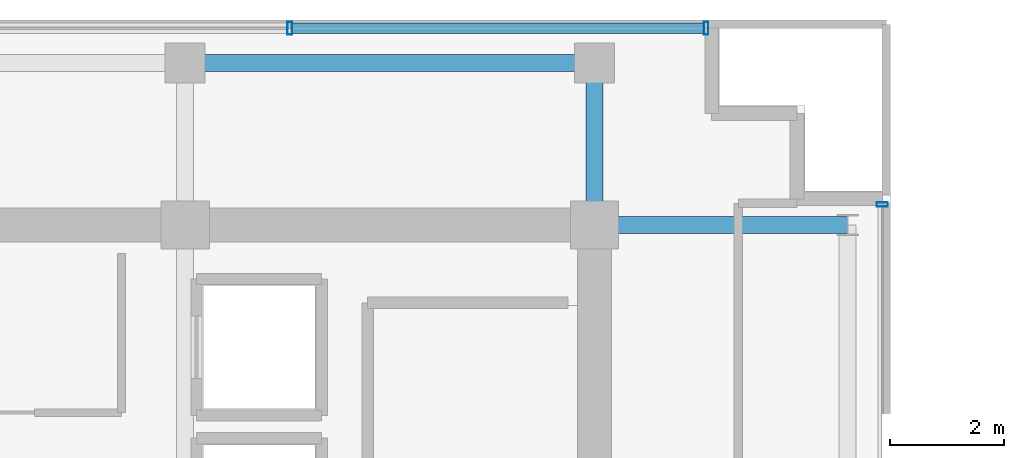
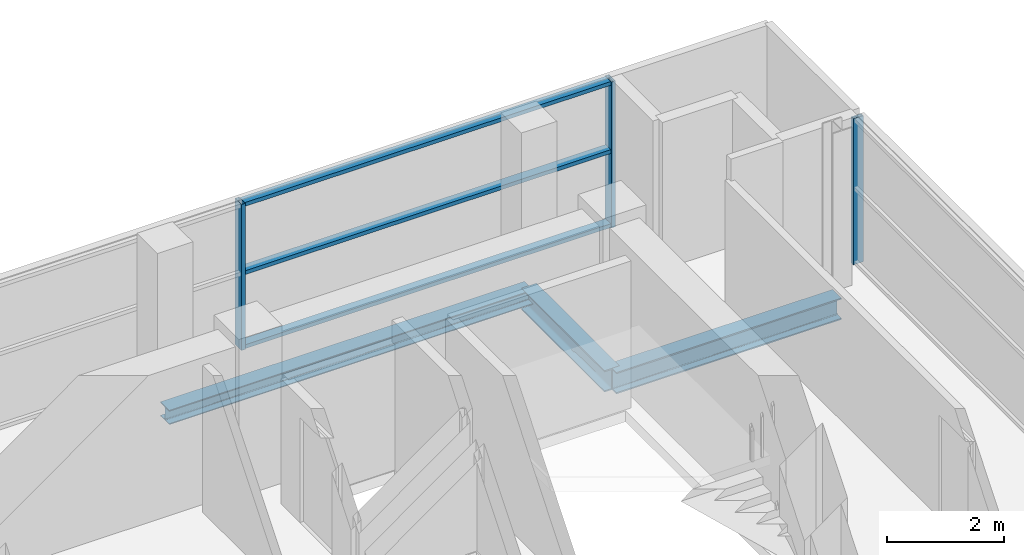
# One storey, part 14 of 22: 6 members, 3 beams, 2 elements without a shape of their own.
"""IFC4 building model written with IfcOpenShell, lengths in metres."""

from ifc_helpers import new_model, si_unit, direction, frame, origin, origin_2d, place, context, subcontext, project, spatial, hollow_rectangle, i_section, extrude, source, transform, mapped, material, layer, layer_set, material_profile, profile_set, type_object, element, aggregate, save


model = new_model("IFC4")

# Units and contexts
model_context = context("Model", 3, precision=1e-05, world=origin(), true_north=direction((0.0, 1.0)))
body_context = subcontext(model_context, "Body", "Model", "MODEL_VIEW")
ifc_project = project(units=[si_unit("LENGTHUNIT", "METRE"), si_unit("AREAUNIT", "SQUARE_METRE"), si_unit("VOLUMEUNIT", "CUBIC_METRE"), si_unit("PLANEANGLEUNIT", "RADIAN"), si_unit("MASSUNIT", "GRAM", prefix="KILO")], contexts=[model_context])

# Site, building, storey
site_placement = place(None, origin())
site = spatial("IfcSite", under=ifc_project, at=site_placement, CompositionType="ELEMENT")
building_placement = place(site_placement, origin())
building = spatial("IfcBuilding", under=site, at=building_placement, Name="Zarnakvel Exchange Tower", CompositionType="ELEMENT")
storey_placement = place(building_placement, frame((0.0, 0.0, 225.39990234375)))
storey = spatial("IfcBuildingStorey", under=building, at=storey_placement, Name="L63", CompositionType="ELEMENT", Elevation=225.39990234375)

# Beams
ifc_material_1 = material(Name="Steel S355", Category="steel")
ifc_material_profile_1 = material_profile(ifc_material_1, i_section(OverallWidth=0.300048828125, OverallDepth=0.449951171875, WebThickness=0.013916015625, FlangeThickness=0.02587890625, FilletRadius=0.027099609375, at=origin_2d()))
ifc_profile_set_1 = profile_set([ifc_material_profile_1], Name="Steel S355")
beam_type_1 = type_object("IfcBeamType", Name="G-07", PredefinedType="BEAM", material=ifc_profile_set_1)
beam_1_placement = place(storey_placement, frame((14.39990234375, 13.5, -0.449951171875), z_axis=(1.0, 0.0, 0.0), x_axis=(0.0, 1.0, 0.0)))
element("IfcBeam", 1, at=beam_1_placement, inside=storey, type_object=beam_type_1, Name="L63 Tower E-W Frame Beam", PredefinedType="BEAM", context=body_context, shape_type="SweptSolid", body=[
    extrude(i_section(OverallWidth=0.300048828125, OverallDepth=0.449951171875, WebThickness=0.013916015625, FlangeThickness=0.02587890625, FilletRadius=0.027099609375, at=origin_2d()), origin(), (0.0, 0.0, 1.0), 4.4501953125),
])
beam_2_placement = place(storey_placement, frame((14.39990234375, 13.5, -0.449951171875), z_axis=(0.0, 1.0, 0.0), x_axis=(-1.0, 0.0, 0.0)))
element("IfcBeam", 2, at=beam_2_placement, inside=storey, type_object=beam_type_1, Name="L63 Tower N-S Frame Beam", PredefinedType="BEAM", context=body_context, shape_type="SweptSolid", body=[
    extrude(i_section(OverallWidth=0.300048828125, OverallDepth=0.449951171875, WebThickness=0.013916015625, FlangeThickness=0.02587890625, FilletRadius=0.027099609375, at=origin_2d()), origin(), (0.0, 0.0, 1.0), 2.85009765625),
])
ifc_material_profile_2 = material_profile(ifc_material_1, i_section(OverallWidth=0.300048828125, OverallDepth=0.300048828125, WebThickness=0.010986328125, FlangeThickness=0.01904296875, FilletRadius=0.027099609375, at=origin_2d()))
ifc_profile_set_2 = profile_set([ifc_material_profile_2], Name="Steel S355")
beam_type_2 = type_object("IfcBeamType", Name="SP-03", PredefinedType="SPANDREL", material=ifc_profile_set_2)
beam_3_placement = place(storey_placement, frame((7.199951171875, 16.35009765625, -0.375), z_axis=(1.0, 0.0, 0.0), x_axis=(0.0, 1.0, 0.0)))
element("IfcBeam", 3, at=beam_3_placement, inside=storey, type_object=beam_type_2, Name="L63 Tower E-W Frame Beam", PredefinedType="SPANDREL", context=body_context, shape_type="SweptSolid", body=[
    extrude(i_section(OverallWidth=0.300048828125, OverallDepth=0.300048828125, WebThickness=0.010986328125, FlangeThickness=0.01904296875, FilletRadius=0.027099609375, at=origin_2d()), origin(), (0.0, 0.0, 1.0), 7.199951171875),
])

# Curtain wall, member
ifc_material_2 = material(Name="Architectural Bronze Anodised Aluminium", Category="aluminium")
ifc_layer_1 = layer(ifc_material_2, 0.199951171875)
ifc_layer_set_1 = layer_set([ifc_layer_1], Name="Architectural Bronze Anodised Aluminium")
curtain_wall_type_1 = type_object("IfcCurtainWallType", Name="CW-04", PredefinedType="NOTDEFINED", material=ifc_layer_set_1)
curtain_wall_1_placement = place(storey_placement, origin())
curtain_wall_1 = element("IfcCurtainWall", 4, at=curtain_wall_1_placement, inside=storey, type_object=curtain_wall_type_1, Name="L63 Curtain Wall CW-L63-EN (CW-04)", PredefinedType="NOTDEFINED")
ifc_material_profile_3 = material_profile(ifc_material_2, hollow_rectangle(XDim=0.199951171875, YDim=0.074951171875, WallThickness=0.0048828125, at=origin_2d()))
ifc_profile_set_3 = profile_set([ifc_material_profile_3], Name="Architectural Bronze Anodised Aluminium")
member_type_1 = type_object("IfcMemberType", Name="CWM-04", PredefinedType="MULLION", material=ifc_profile_set_3)
shared_shape_1 = source(origin(), body_context, "Body", "SweptSolid", [
    extrude(hollow_rectangle(XDim=0.199951171875, YDim=0.074951171875, WallThickness=0.0048828125, at=origin_2d()), origin(), (0.0, 0.0, 1.0), 3.05517578125),
])
member_1_placement = place(storey_placement, frame((19.4599609375, 13.862548828125, 0.0), z_axis=(0.0, 0.0, 1.0), x_axis=(-1.0, 0.0, 0.0)))
member_1 = element("IfcMember", 5, at=member_1_placement, type_object=member_type_1, Name="CW-04 mullion 3", PredefinedType="MULLION", context=body_context, shape_type="MappedRepresentation", body=[
    mapped(shared_shape_1, transform((0.0, 0.0, 0.0), x_axis=(1.0, 0.0, 0.0), y_axis=(0.0, 1.0, 0.0), z_axis=(0.0, 0.0, 1.0), scale=1.0)),
])
aggregate(curtain_wall_1, [member_1])

# Curtain wall, members
ifc_layer_2 = layer(ifc_material_2, 0.219970703125)
ifc_layer_set_2 = layer_set([ifc_layer_2], Name="Architectural Bronze Anodised Aluminium")
curtain_wall_type_2 = type_object("IfcCurtainWallType", Name="CW-03", PredefinedType="NOTDEFINED", material=ifc_layer_set_2)
curtain_wall_2_placement = place(storey_placement, origin())
curtain_wall_2 = element("IfcCurtainWall", 6, at=curtain_wall_2_placement, inside=storey, type_object=curtain_wall_type_2, Name="L63 Curtain Wall CW-L63-N1 (CW-03)", PredefinedType="NOTDEFINED")
ifc_material_profile_4 = material_profile(ifc_material_2, hollow_rectangle(XDim=0.219970703125, YDim=0.080078125, WallThickness=0.0048828125, at=origin_2d()))
ifc_profile_set_4 = profile_set([ifc_material_profile_4], Name="Architectural Bronze Anodised Aluminium")
member_type_2 = type_object("IfcMemberType", Name="CWM-03", PredefinedType="MULLION", material=ifc_profile_set_4)
shared_shape_2 = source(origin(), body_context, "Body", "SweptSolid", [
    extrude(hollow_rectangle(XDim=0.219970703125, YDim=0.080078125, WallThickness=0.0048828125, at=origin_2d()), origin(), (0.0, 0.0, 1.0), 3.05517578125),
])
member_2_placement = place(storey_placement, frame((9.0400390625, 16.9599609375, 0.0), z_axis=(0.0, 0.0, 1.0), x_axis=(0.0, 1.0, 0.0)))
member_2 = element("IfcMember", 7, at=member_2_placement, type_object=member_type_2, Name="CW-03 mullion 5", PredefinedType="MULLION", context=body_context, shape_type="MappedRepresentation", body=[
    mapped(shared_shape_2, transform((0.0, 0.0, 0.0), x_axis=(1.0, 0.0, 0.0), y_axis=(0.0, 1.0, 0.0), z_axis=(0.0, 0.0, 1.0), scale=1.0)),
])
member_3_placement = place(storey_placement, frame((16.360107421875, 16.9599609375, 0.0), z_axis=(0.0, 0.0, 1.0), x_axis=(0.0, 1.0, 0.0)))
member_3 = element("IfcMember", 8, at=member_3_placement, type_object=member_type_2, Name="CW-03 mullion 6", PredefinedType="MULLION", context=body_context, shape_type="MappedRepresentation", body=[
    mapped(shared_shape_2, transform((0.0, 0.0, 0.0), x_axis=(1.0, 0.0, 0.0), y_axis=(0.0, 1.0, 0.0), z_axis=(0.0, 0.0, 1.0), scale=1.0)),
])
ifc_material_profile_5 = material_profile(ifc_material_2, hollow_rectangle(XDim=0.179931640625, YDim=0.080078125, WallThickness=0.00390625, at=origin_2d()))
ifc_profile_set_5 = profile_set([ifc_material_profile_5], Name="Architectural Bronze Anodised Aluminium")
member_type_3 = type_object("IfcMemberType", Name="CWT-03", PredefinedType="USERDEFINED", material=ifc_profile_set_5)
shared_shape_3 = source(origin(), body_context, "Body", "SweptSolid", [
    extrude(hollow_rectangle(XDim=0.179931640625, YDim=0.080078125, WallThickness=0.00390625, at=origin_2d()), origin(), (0.0, 0.0, 1.0), 7.239990234375),
])
member_4_placement = place(storey_placement, frame((9.080078125, 16.9599609375, 0.0400390625), z_axis=(1.0, 0.0, 0.0), x_axis=(0.0, 1.0, 0.0)))
member_4 = element("IfcMember", 9, at=member_4_placement, type_object=member_type_3, Name="CW-03 transom 5.1", ObjectType="TRANSOM", PredefinedType="USERDEFINED", context=body_context, shape_type="MappedRepresentation", body=[
    mapped(shared_shape_3, transform((0.0, 0.0, 0.0), x_axis=(1.0, 0.0, 0.0), y_axis=(0.0, 1.0, 0.0), z_axis=(0.0, 0.0, 1.0), scale=1.0)),
])
member_5_placement = place(storey_placement, frame((9.080078125, 16.9599609375, 1.588623046875), z_axis=(1.0, 0.0, 0.0), x_axis=(0.0, 1.0, 0.0)))
member_5 = element("IfcMember", 10, at=member_5_placement, type_object=member_type_3, Name="CW-03 transom 5.2", ObjectType="TRANSOM", PredefinedType="USERDEFINED", context=body_context, shape_type="MappedRepresentation", body=[
    mapped(shared_shape_3, transform((0.0, 0.0, 0.0), x_axis=(1.0, 0.0, 0.0), y_axis=(0.0, 1.0, 0.0), z_axis=(0.0, 0.0, 1.0), scale=1.0)),
])
member_6_placement = place(storey_placement, frame((9.080078125, 16.9599609375, 3.01513671875), z_axis=(1.0, 0.0, 0.0), x_axis=(0.0, 1.0, 0.0)))
member_6 = element("IfcMember", 11, at=member_6_placement, type_object=member_type_3, Name="CW-03 transom 5.3", ObjectType="TRANSOM", PredefinedType="USERDEFINED", context=body_context, shape_type="MappedRepresentation", body=[
    mapped(shared_shape_3, transform((0.0, 0.0, 0.0), x_axis=(1.0, 0.0, 0.0), y_axis=(0.0, 1.0, 0.0), z_axis=(0.0, 0.0, 1.0), scale=1.0)),
])
aggregate(curtain_wall_2, [member_2, member_3, member_4, member_5, member_6])

save(model, "model.ifc")
